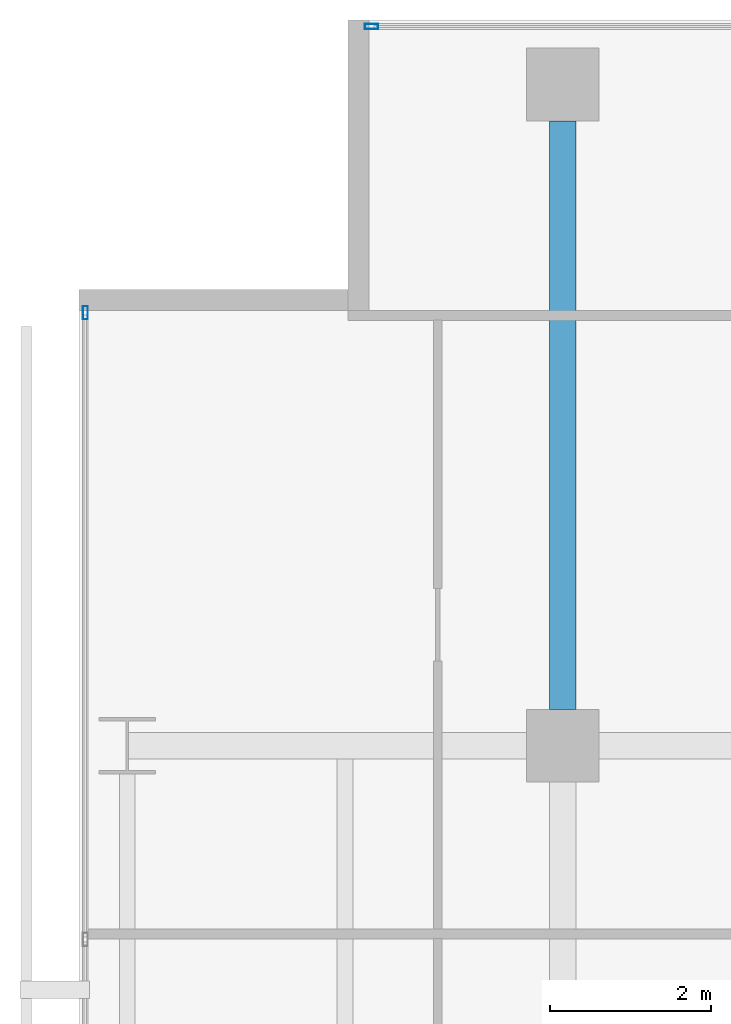
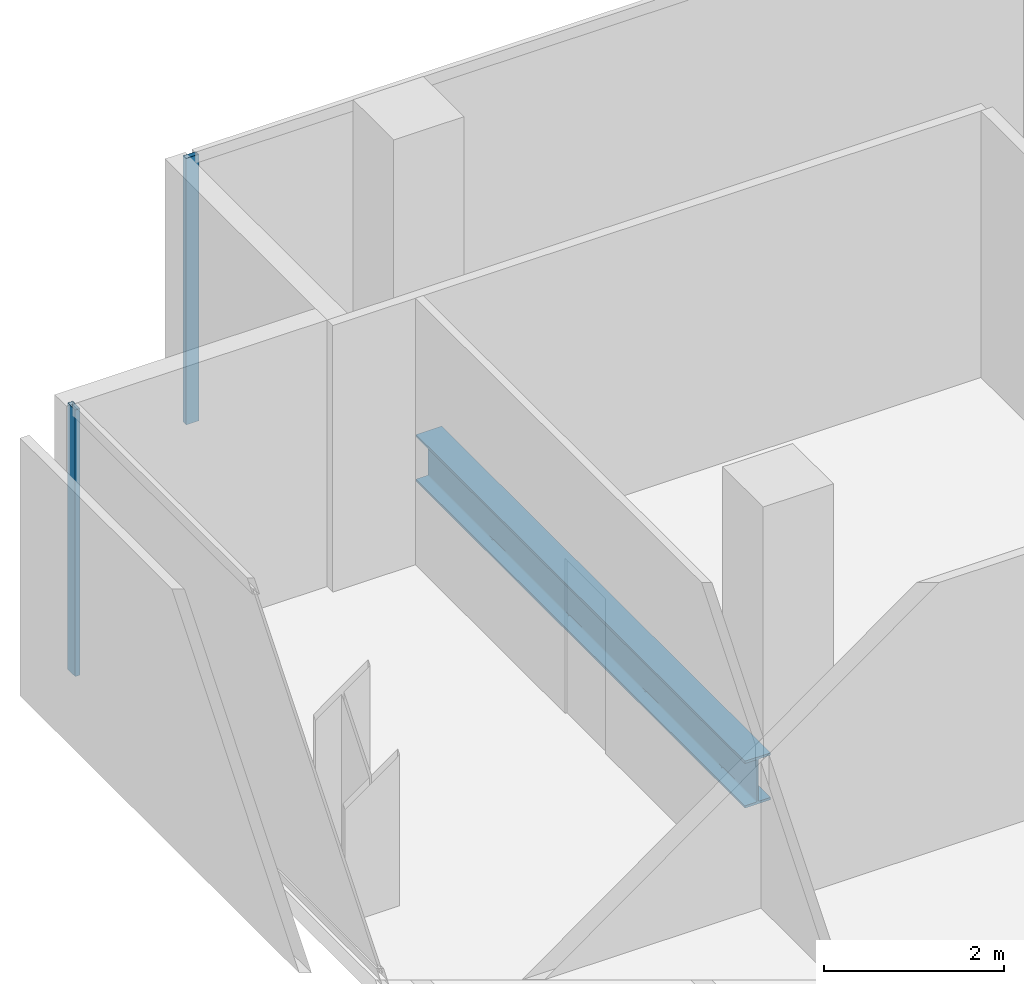
# One storey, part 25 of 40: 2 members, 1 beam, 2 elements without a shape of their own.
"""IFC4 building model written with IfcOpenShell, lengths in metres."""

from ifc_helpers import new_model, si_unit, direction, frame, origin, origin_2d, place, context, subcontext, project, spatial, hollow_rectangle, i_section, extrude, material, layer, layer_set, material_profile, profile_set, type_object, element, aggregate, save


model = new_model("IFC4")

# Units and contexts
model_context = context("Model", 3, precision=1e-05, world=origin(), true_north=direction((0.0, 1.0)))
body_context = subcontext(model_context, "Body", "Model", "MODEL_VIEW")
ifc_project = project(units=[si_unit("LENGTHUNIT", "METRE"), si_unit("AREAUNIT", "SQUARE_METRE"), si_unit("VOLUMEUNIT", "CUBIC_METRE"), si_unit("PLANEANGLEUNIT", "RADIAN"), si_unit("MASSUNIT", "GRAM", prefix="KILO")], contexts=[model_context])

# Site, building, storey
site_placement = place(None, origin())
site = spatial("IfcSite", under=ifc_project, at=site_placement, CompositionType="ELEMENT")
building_placement = place(site_placement, origin())
building = spatial("IfcBuilding", under=site, at=building_placement, Name="Maruvema Waterfront Hotel and Observation Tower", CompositionType="ELEMENT")
storey_placement = place(building_placement, frame((0.0, 0.0, 34.64990234375)))
storey = spatial("IfcBuildingStorey", under=building, at=storey_placement, Name="L07", CompositionType="ELEMENT", Elevation=34.64990234375)

# Curtain wall, member
ifc_material_1 = material(Name="Anodised bronze aluminium and solar-control low-E IGU", Category="aluminium")
ifc_layer = layer(ifc_material_1, 0.159912109375, Name="Zone 1 Bronze Inner Thermal Curtain Wall System CW-02")
ifc_layer_set = layer_set([ifc_layer], Name="Anodised bronze aluminium and solar-control low-E IGU")
curtain_wall_type = type_object("IfcCurtainWallType", Name="Zone 1 Bronze Inner Thermal Curtain Wall System CW-02", PredefinedType="USERDEFINED", material=ifc_layer_set)
curtain_wall_1_placement = place(storey_placement, origin())
curtain_wall_1 = element("IfcCurtainWall", 1, at=curtain_wall_1_placement, inside=storey, type_object=curtain_wall_type, Name="L07 Curtain Wall CW-L07-W", ObjectType="UNITISED CURTAIN WALL", PredefinedType="USERDEFINED")
ifc_material_2 = material(Name="Anodised architectural bronze aluminium", Category="aluminium")
ifc_material_profile_1 = material_profile(ifc_material_2, hollow_rectangle(XDim=0.06494140625, YDim=0.1650390625, WallThickness=0.00390625, at=origin_2d()), Name="ALU-M65x165")
ifc_profile_set_1 = profile_set([ifc_material_profile_1], Name="Anodised architectural bronze aluminium")
member_type = type_object("IfcMemberType", Name="Curtain Wall Primary Mullion ALU-M65x165", PredefinedType="MULLION", material=ifc_profile_set_1)
member_1_placement = place(storey_placement, frame((10.8798828125, 50.3701171875, 0.0), z_axis=(0.0, 0.0, 1.0), x_axis=(1.0, 0.0, 0.0)))
member_1 = element("IfcMember", 2, at=member_1_placement, type_object=member_type, Name="CW-02 mullion 1", PredefinedType="MULLION", context=body_context, shape_type="SweptSolid", body=[
    extrude(hollow_rectangle(XDim=0.06494140625, YDim=0.1650390625, WallThickness=0.00390625, at=origin_2d()), origin(), (0.0, 0.0, 1.0), 3.610107421875),
])
aggregate(curtain_wall_1, [member_1])

curtain_wall_2_placement = place(storey_placement, origin())
curtain_wall_2 = element("IfcCurtainWall", 3, at=curtain_wall_2_placement, inside=storey, type_object=curtain_wall_type, Name="L07 Curtain Wall CW-L07-NW", ObjectType="UNITISED CURTAIN WALL", PredefinedType="USERDEFINED")
member_2_placement = place(storey_placement, frame((14.429931640625, 53.919921875, 0.0), z_axis=(0.0, 0.0, 1.0), x_axis=(0.0, -1.0, 0.0)))
member_2 = element("IfcMember", 4, at=member_2_placement, type_object=member_type, Name="CW-02 mullion 2", PredefinedType="MULLION", context=body_context, shape_type="SweptSolid", body=[
    extrude(hollow_rectangle(XDim=0.06494140625, YDim=0.1650390625, WallThickness=0.00390625, at=origin_2d()), origin(), (0.0, 0.0, 1.0), 3.610107421875),
])
aggregate(curtain_wall_2, [member_2])

# Beam
ifc_material_3 = material(Name="Steel ASTM A572 Grade 50", Category="steel")
ifc_material_profile_2 = material_profile(ifc_material_3, i_section(OverallWidth=0.3291015625, OverallDepth=0.635009765625, WebThickness=0.017822265625, FlangeThickness=0.031005859375, FilletRadius=0.01806640625, at=origin_2d()), Name="W610x241.0")
ifc_profile_set_2 = profile_set([ifc_material_profile_2], Name="Steel ASTM A572 Grade 50")
beam_type = type_object("IfcBeamType", Name="Primary Floor Girder W610x241.0", PredefinedType="BEAM", material=ifc_profile_set_2)
beam_placement = place(storey_placement, frame((16.800048828125, 45.449951171875, -0.557373046875), z_axis=(0.0, 1.0, 0.0), x_axis=(-1.0, 0.0, 0.0)))
element("IfcBeam", 5, at=beam_placement, inside=storey, type_object=beam_type, Name="L07 Floor Girder NS-10", PredefinedType="BEAM", context=body_context, shape_type="SweptSolid", body=[
    extrude(i_section(OverallWidth=0.3291015625, OverallDepth=0.635009765625, WebThickness=0.017822265625, FlangeThickness=0.031005859375, FilletRadius=0.01806640625, at=origin_2d()), origin(), (0.0, 0.0, 1.0), 7.300048828125),
])

save(model, "model.ifc")
